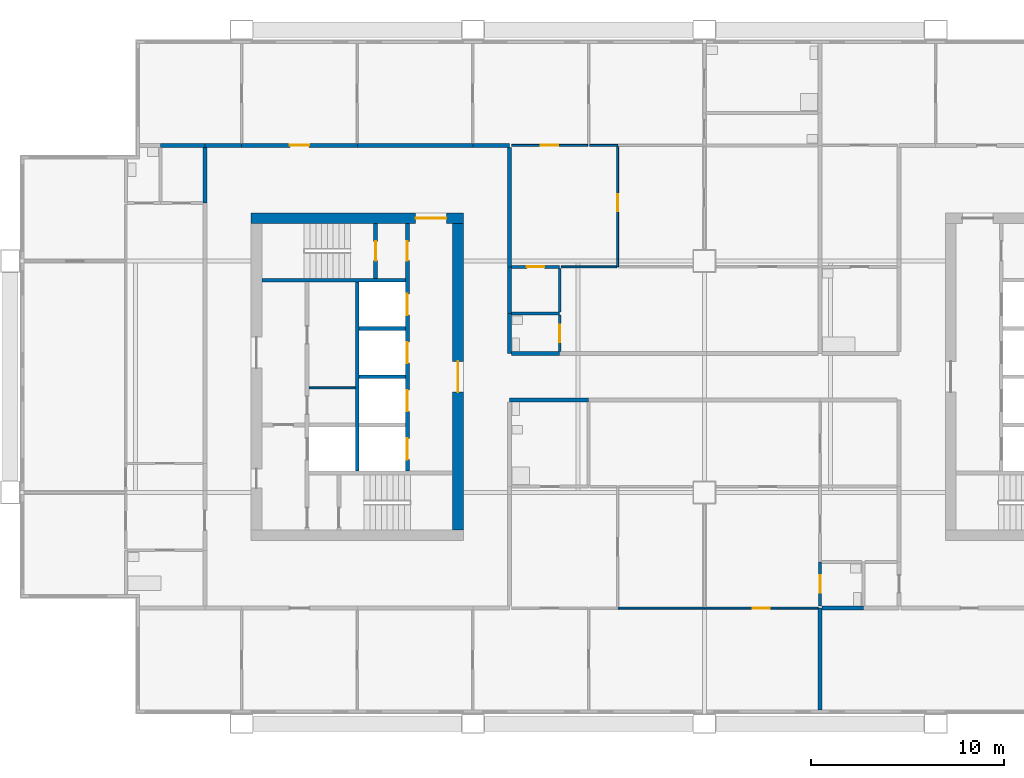
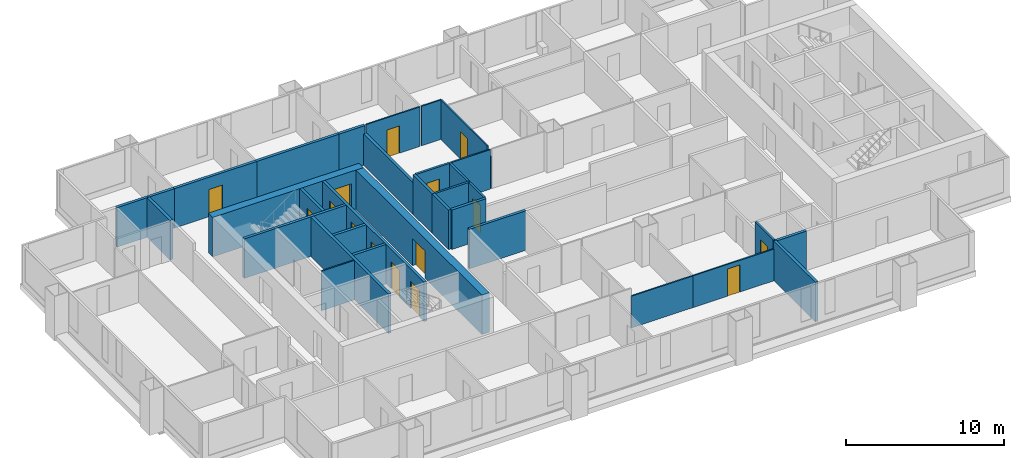
# One storey, part 4 of 10: 34 walls, 15 doors, 15 openings.
"""IFC4 building model written with IfcOpenShell, lengths in metres."""

from ifc_helpers import new_model, si_unit, direction, frame, frame_2d, origin, place, context, subcontext, project, spatial, rectangle, extrude, material, layer, layer_set, type_object, element, fill, save


model = new_model("IFC4")

# Units and contexts
model_context = context("Model", 3, precision=1e-05, world=origin(), true_north=direction((0.0, 1.0)))
body_context = subcontext(model_context, "Body", "Model", "MODEL_VIEW")
ifc_project = project(units=[si_unit("LENGTHUNIT", "METRE"), si_unit("AREAUNIT", "SQUARE_METRE"), si_unit("VOLUMEUNIT", "CUBIC_METRE"), si_unit("PLANEANGLEUNIT", "RADIAN"), si_unit("MASSUNIT", "GRAM", prefix="KILO")], contexts=[model_context])

# Site, building, storey
site_placement = place(None, origin())
site = spatial("IfcSite", under=ifc_project, at=site_placement, CompositionType="ELEMENT")
building_placement = place(site_placement, origin())
building = spatial("IfcBuilding", under=site, at=building_placement, Name="Kitamizu Gate Tower and Museum", CompositionType="ELEMENT")
storey_placement = place(building_placement, frame((0.0, 0.0, 185.85009765625)))
storey = spatial("IfcBuildingStorey", under=building, at=storey_placement, Name="L49", CompositionType="ELEMENT", Elevation=185.85009765625)

# Wall, opening, door
ifc_material_1 = material(Name="Concrete Fc42", Category="concrete")
ifc_layer_1 = layer(ifc_material_1, 0.550048828125)
ifc_layer_set_1 = layer_set([ifc_layer_1], Name="Concrete Fc42")
wall_type_1 = type_object("IfcWallType", Name="Core wall 550", PredefinedType="SHEAR", material=ifc_layer_set_1)
wall_1_placement = place(storey_placement, frame((12.5, 38.22509765625, 0.0), z_axis=(0.0, 0.0, 1.0), x_axis=(1.0, 0.0, 0.0)))
wall_1 = element("IfcWall", 1, at=wall_1_placement, inside=storey, type_object=wall_type_1, Name="Core wall WN", PredefinedType="SHEAR", context=body_context, shape_type="SweptSolid", body=[
    extrude(rectangle(XDim=11.0, YDim=0.550048828125, at=frame_2d((5.5, 0.0))), origin(), (0.0, 0.0, 1.0), 3.0498046875),
])
opening_1_placement = place(wall_1_placement, frame((8.52490234375, 0.0, 0.0)))
opening_1 = element("IfcOpeningElement", 2, at=opening_1_placement, cuts=wall_1, Name="Opening L49-048", PredefinedType="OPENING", context=body_context, shape_type="SweptSolid", body=[
    extrude(rectangle(XDim=1.60009765625, YDim=2.10009765625, at=frame_2d((0.800048828125, 1.050048828125))), frame((0.0, 0.28515625, 0.0), z_axis=(0.0, -1.0, 0.0), x_axis=(1.0, 0.0, 0.0)), (0.0, 0.0, 1.0), 0.570068359375),
])
ifc_material_2 = material(Name="Timber door set", Category="wood")
door_type_1 = type_object("IfcDoorType", Name="Entrance door 1600", OperationType="DOUBLE_DOOR_SINGLE_SWING", PredefinedType="DOOR", material=ifc_material_2)
door_1_placement = place(opening_1_placement, origin())
door_1 = element("IfcDoor", 3, at=door_1_placement, inside=storey, type_object=door_type_1, Name="Lobby door L49-048", OperationType="DOUBLE_DOOR_SINGLE_SWING", OverallHeight=2.10009765625, OverallWidth=1.60009765625, PredefinedType="DOOR", context=body_context, shape_type="SweptSolid", body=[
    extrude(rectangle(XDim=1.60009765625, YDim=2.10009765625, at=frame_2d((0.800048828125, 1.050048828125))), frame((0.0, 0.02490234375, 0.0), z_axis=(0.0, -1.0, 0.0), x_axis=(1.0, 0.0, 0.0)), (0.0, 0.0, 1.0), 0.050048828125),
])
fill(opening_1, door_1)

wall_2_placement = place(storey_placement, frame((23.22509765625, 22.050048828125, 0.0), z_axis=(0.0, 0.0, 1.0), x_axis=(0.0, 1.0, 0.0)))
wall_2 = element("IfcWall", 4, at=wall_2_placement, inside=storey, type_object=wall_type_1, Name="Core wall WARC", PredefinedType="SHEAR", context=body_context, shape_type="SweptSolid", body=[
    extrude(rectangle(XDim=15.89990234375, YDim=0.550048828125, at=frame_2d((7.949951171875, 0.0))), origin(), (0.0, 0.0, 1.0), 3.0498046875),
])
opening_2_placement = place(wall_2_placement, frame((7.14990234375, 0.0, 0.0)))
opening_2 = element("IfcOpeningElement", 5, at=opening_2_placement, cuts=wall_2, Name="Opening L49-049", PredefinedType="OPENING", context=body_context, shape_type="SweptSolid", body=[
    extrude(rectangle(XDim=1.60009765625, YDim=2.10009765625, at=frame_2d((0.800048828125, 1.050048828125))), frame((0.0, 0.28515625, 0.0), z_axis=(0.0, -1.0, 0.0), x_axis=(1.0, 0.0, 0.0)), (0.0, 0.0, 1.0), 0.570068359375),
])
door_2_placement = place(opening_2_placement, origin())
door_2 = element("IfcDoor", 6, at=door_2_placement, inside=storey, type_object=door_type_1, Name="Lobby door L49-049", OperationType="DOUBLE_DOOR_SINGLE_SWING", OverallHeight=2.10009765625, OverallWidth=1.60009765625, PredefinedType="DOOR", context=body_context, shape_type="SweptSolid", body=[
    extrude(rectangle(XDim=1.60009765625, YDim=2.10009765625, at=frame_2d((0.800048828125, 1.050048828125))), frame((0.0, 0.02490234375, 0.0), z_axis=(0.0, -1.0, 0.0), x_axis=(1.0, 0.0, 0.0)), (0.0, 0.0, 1.0), 0.050048828125),
])
fill(opening_2, door_2)

# Walls
ifc_material_3 = material(Name="Gypsum board on galvanised stud")
ifc_layer_2 = layer(ifc_material_3, 0.10009765625)
ifc_layer_set_2 = layer_set([ifc_layer_2], Name="Gypsum board on galvanised stud")
wall_type_2 = type_object("IfcWallType", Name="Partition 100", PredefinedType="PARTITIONING", material=ifc_layer_set_2)
wall_3_placement = place(storey_placement, frame((15.5, 29.425048828125, 0.0), z_axis=(0.0, 0.0, 1.0), x_axis=(1.0, 0.0, 0.0)))
element("IfcWall", 7, at=wall_3_placement, inside=storey, type_object=wall_type_2, Name="Partition WPF1", PredefinedType="PARTITIONING", context=body_context, shape_type="SweptSolid", body=[
    extrude(rectangle(XDim=2.39990234375, YDim=0.10009765625, at=frame_2d((1.199951171875, 0.0))), origin(), (0.0, 0.0, 1.0), 3.0498046875),
])
ifc_material_4 = material(Name="Gypsum board on galvanised stud")
ifc_layer_3 = layer(ifc_material_4, 0.10009765625)
ifc_layer_set_3 = layer_set([ifc_layer_3], Name="Gypsum board on galvanised stud")
wall_type_3 = type_object("IfcWallType", Name="Partition 100 NOT RATED", PredefinedType="PARTITIONING", material=ifc_layer_set_3)
wall_4_placement = place(storey_placement, frame((36.0, 18.0, 0.0), z_axis=(0.0, 0.0, 1.0), x_axis=(-1.0, 0.0, 0.0)))
element("IfcWall", 8, at=wall_4_placement, inside=storey, type_object=wall_type_3, Name="Partition L49-012", PredefinedType="PARTITIONING", context=body_context, shape_type="SweptSolid", body=[
    extrude(rectangle(XDim=4.5, YDim=0.10009765625, at=frame_2d((2.25, 0.0))), origin(), (0.0, 0.0, 1.0), 2.449951171875),
])

# Wall, opening, door
wall_5_placement = place(storey_placement, frame((41.89990234375, 18.0, 0.0), z_axis=(0.0, 0.0, 1.0), x_axis=(-1.0, 0.0, 0.0)))
wall_5 = element("IfcWall", 9, at=wall_5_placement, inside=storey, type_object=wall_type_3, Name="Partition L49-013", PredefinedType="PARTITIONING", context=body_context, shape_type="SweptSolid", body=[
    extrude(rectangle(XDim=5.89990234375, YDim=0.10009765625, at=frame_2d((2.949951171875, 0.0))), origin(), (0.0, 0.0, 1.0), 2.449951171875),
])
opening_3_placement = place(wall_5_placement, frame((2.5, 0.0, 0.0)))
opening_3 = element("IfcOpeningElement", 10, at=opening_3_placement, cuts=wall_5, Name="Opening L49-008", PredefinedType="OPENING", context=body_context, shape_type="SweptSolid", body=[
    extrude(rectangle(XDim=0.89990234375, YDim=2.10009765625, at=frame_2d((0.449951171875, 1.050048828125))), frame((0.0, 0.06005859375, 0.0), z_axis=(0.0, -1.0, 0.0), x_axis=(1.0, 0.0, 0.0)), (0.0, 0.0, 1.0), 0.1201171875),
])
ifc_material_5 = material(Name="Timber door set", Category="wood")
door_type_2 = type_object("IfcDoorType", Name="Room door 900", OperationType="NOTDEFINED", PredefinedType="DOOR", material=ifc_material_5)
door_3_placement = place(opening_3_placement, frame((0.89990234375, 0.0, 0.0), x_axis=(-1.0, 0.0, 0.0)))
door_3 = element("IfcDoor", 11, at=door_3_placement, inside=storey, type_object=door_type_2, Name="Door L49-008", OperationType="SINGLE_SWING_RIGHT", OverallHeight=2.10009765625, OverallWidth=0.89990234375, PredefinedType="DOOR", context=body_context, shape_type="SweptSolid", body=[
    extrude(rectangle(XDim=0.89990234375, YDim=2.10009765625, at=frame_2d((0.449951171875, 1.050048828125))), frame((0.0, 0.02490234375, 0.0), z_axis=(0.0, -1.0, 0.0), x_axis=(1.0, 0.0, 0.0)), (0.0, 0.0, 1.0), 0.050048828125),
])
fill(opening_3, door_3)

wall_6_placement = place(storey_placement, frame((26.0, 42.0, 0.0), z_axis=(0.0, 0.0, 1.0), x_axis=(1.0, 0.0, 0.0)))
wall_6 = element("IfcWall", 12, at=wall_6_placement, inside=storey, type_object=wall_type_3, Name="Partition L49-050", PredefinedType="PARTITIONING", context=body_context, shape_type="SweptSolid", body=[
    extrude(rectangle(XDim=3.949951171875, YDim=0.10009765625, at=frame_2d((1.97509765625, 0.0))), origin(), (0.0, 0.0, 1.0), 3.0498046875),
])
opening_4_placement = place(wall_6_placement, frame((1.52490234375, 0.0, 0.0)))
opening_4 = element("IfcOpeningElement", 13, at=opening_4_placement, cuts=wall_6, Name="Opening L49-022", PredefinedType="OPENING", context=body_context, shape_type="SweptSolid", body=[
    extrude(rectangle(XDim=0.89990234375, YDim=2.10009765625, at=frame_2d((0.449951171875, 1.050048828125))), frame((0.0, 0.06005859375, 0.0), z_axis=(0.0, -1.0, 0.0), x_axis=(1.0, 0.0, 0.0)), (0.0, 0.0, 1.0), 0.1201171875),
])
door_4_placement = place(opening_4_placement, origin())
door_4 = element("IfcDoor", 14, at=door_4_placement, inside=storey, type_object=door_type_2, Name="Door L49-022", OperationType="SINGLE_SWING_LEFT", OverallHeight=2.10009765625, OverallWidth=0.89990234375, PredefinedType="DOOR", context=body_context, shape_type="SweptSolid", body=[
    extrude(rectangle(XDim=0.89990234375, YDim=2.10009765625, at=frame_2d((0.449951171875, 1.050048828125))), frame((0.0, 0.02490234375, 0.0), z_axis=(0.0, -1.0, 0.0), x_axis=(1.0, 0.0, 0.0)), (0.0, 0.0, 1.0), 0.050048828125),
])
fill(opening_4, door_4)

# Walls
wall_7_placement = place(storey_placement, frame((30.050048828125, 42.0, 0.0), z_axis=(0.0, 0.0, 1.0), x_axis=(1.0, 0.0, 0.0)))
element("IfcWall", 15, at=wall_7_placement, inside=storey, type_object=wall_type_3, Name="Partition L49-054", PredefinedType="PARTITIONING", context=body_context, shape_type="SweptSolid", body=[
    extrude(rectangle(XDim=1.449951171875, YDim=0.10009765625, at=frame_2d((0.72509765625, 0.0))), origin(), (0.0, 0.0, 1.0), 3.0498046875),
])
wall_8_placement = place(storey_placement, frame((31.5, 35.699951171875, 0.0), z_axis=(0.0, 0.0, 1.0), x_axis=(0.0, 1.0, 0.0)))
element("IfcWall", 16, at=wall_8_placement, inside=storey, type_object=wall_type_3, Name="Partition L49-060", PredefinedType="PARTITIONING", context=body_context, shape_type="SweptSolid", body=[
    extrude(rectangle(XDim=0.400146484375, YDim=0.10009765625, at=frame_2d((0.2001953125, 0.0))), origin(), (0.0, 0.0, 1.0), 2.449951171875),
])

# Wall, opening, door
wall_9_placement = place(storey_placement, frame((31.5, 36.10009765625, 0.0), z_axis=(0.0, 0.0, 1.0), x_axis=(0.0, 1.0, 0.0)))
wall_9 = element("IfcWall", 17, at=wall_9_placement, inside=storey, type_object=wall_type_3, Name="Partition L49-061", PredefinedType="PARTITIONING", context=body_context, shape_type="SweptSolid", body=[
    extrude(rectangle(XDim=5.849853515625, YDim=0.10009765625, at=frame_2d((2.9248046875, 0.0))), origin(), (0.0, 0.0, 1.0), 3.0498046875),
])
opening_5_placement = place(wall_9_placement, frame((2.47509765625, 0.0, 0.0)))
opening_5 = element("IfcOpeningElement", 18, at=opening_5_placement, cuts=wall_9, Name="Opening L49-023", PredefinedType="OPENING", context=body_context, shape_type="SweptSolid", body=[
    extrude(rectangle(XDim=0.89990234375, YDim=2.10009765625, at=frame_2d((0.449951171875, 1.050048828125))), frame((0.0, 0.06005859375, 0.0), z_axis=(0.0, -1.0, 0.0), x_axis=(1.0, 0.0, 0.0)), (0.0, 0.0, 1.0), 0.1201171875),
])
door_5_placement = place(opening_5_placement, frame((0.89990234375, 0.0, 0.0), x_axis=(-1.0, 0.0, 0.0)))
door_5 = element("IfcDoor", 19, at=door_5_placement, inside=storey, type_object=door_type_2, Name="Door L49-023", OperationType="SINGLE_SWING_LEFT", OverallHeight=2.10009765625, OverallWidth=0.89990234375, PredefinedType="DOOR", context=body_context, shape_type="SweptSolid", body=[
    extrude(rectangle(XDim=0.89990234375, YDim=2.10009765625, at=frame_2d((0.449951171875, 1.050048828125))), frame((0.0, 0.02490234375, 0.0), z_axis=(0.0, -1.0, 0.0), x_axis=(1.0, 0.0, 0.0)), (0.0, 0.0, 1.0), 0.050048828125),
])
fill(opening_5, door_5)

# Wall
wall_10_placement = place(storey_placement, frame((28.574951171875, 35.699951171875, 0.0), z_axis=(0.0, 0.0, 1.0), x_axis=(1.0, 0.0, 0.0)))
element("IfcWall", 20, at=wall_10_placement, inside=storey, type_object=wall_type_3, Name="Partition L49-063", PredefinedType="PARTITIONING", context=body_context, shape_type="SweptSolid", body=[
    extrude(rectangle(XDim=2.875, YDim=0.10009765625, at=frame_2d((1.4375, 0.0))), origin(), (0.0, 0.0, 1.0), 3.0498046875),
])

# Wall, opening, door
ifc_material_6 = material(Name="Gypsum board on galvanised stud")
ifc_layer_4 = layer(ifc_material_6, 0.14990234375)
ifc_layer_set_4 = layer_set([ifc_layer_4], Name="Gypsum board on galvanised stud")
wall_type_4 = type_object("IfcWallType", Name="Partition 150", PredefinedType="PARTITIONING", material=ifc_layer_set_4)
wall_11_placement = place(storey_placement, frame((42.0, 18.10009765625, 0.0), z_axis=(0.0, 0.0, 1.0), x_axis=(0.0, 1.0, 0.0)))
wall_11 = element("IfcWall", 21, at=wall_11_placement, inside=storey, type_object=wall_type_4, Name="Partition L49-023", PredefinedType="PARTITIONING", context=body_context, shape_type="SweptSolid", body=[
    extrude(rectangle(XDim=2.2998046875, YDim=0.14990234375, at=frame_2d((1.14990234375, 0.0))), origin(), (0.0, 0.0, 1.0), 3.0498046875),
])
opening_6_placement = place(wall_11_placement, frame((0.699951171875, 0.0, 0.0)))
opening_6 = element("IfcOpeningElement", 22, at=opening_6_placement, cuts=wall_11, Name="Opening L49-011", PredefinedType="OPENING", context=body_context, shape_type="SweptSolid", body=[
    extrude(rectangle(XDim=0.89990234375, YDim=2.10009765625, at=frame_2d((0.449951171875, 1.050048828125))), frame((0.0, 0.0849609375, 0.0), z_axis=(0.0, -1.0, 0.0), x_axis=(1.0, 0.0, 0.0)), (0.0, 0.0, 1.0), 0.169921875),
])
ifc_material_7 = material(Name="Timber door set", Category="wood")
door_type_3 = type_object("IfcDoorType", Name="Bathroom door 900", OperationType="NOTDEFINED", PredefinedType="DOOR", material=ifc_material_7)
door_6_placement = place(opening_6_placement, frame((0.89990234375, 0.0, 0.0), x_axis=(-1.0, 0.0, 0.0)))
door_6 = element("IfcDoor", 23, at=door_6_placement, inside=storey, type_object=door_type_3, Name="Bathroom door L49-011", OperationType="SINGLE_SWING_LEFT", OverallHeight=2.10009765625, OverallWidth=0.89990234375, PredefinedType="DOOR", context=body_context, shape_type="SweptSolid", body=[
    extrude(rectangle(XDim=0.89990234375, YDim=2.10009765625, at=frame_2d((0.449951171875, 1.050048828125))), frame((0.0, 0.02490234375, 0.0), z_axis=(0.0, -1.0, 0.0), x_axis=(1.0, 0.0, 0.0)), (0.0, 0.0, 1.0), 0.050048828125),
])
fill(opening_6, door_6)

wall_12_placement = place(storey_placement, frame((26.0, 35.699951171875, 0.0), z_axis=(0.0, 0.0, 1.0), x_axis=(1.0, 0.0, 0.0)))
wall_12 = element("IfcWall", 24, at=wall_12_placement, inside=storey, type_object=wall_type_4, Name="Partition L49-062", PredefinedType="PARTITIONING", context=body_context, shape_type="SweptSolid", body=[
    extrude(rectangle(XDim=2.5, YDim=0.14990234375, at=frame_2d((1.25, 0.0))), origin(), (0.0, 0.0, 1.0), 3.0498046875),
])
opening_7_placement = place(wall_12_placement, frame((0.800048828125, 0.0, 0.0)))
opening_7 = element("IfcOpeningElement", 25, at=opening_7_placement, cuts=wall_12, Name="Opening L49-025", PredefinedType="OPENING", context=body_context, shape_type="SweptSolid", body=[
    extrude(rectangle(XDim=0.89990234375, YDim=2.10009765625, at=frame_2d((0.449951171875, 1.050048828125))), frame((0.0, 0.0849609375, 0.0), z_axis=(0.0, -1.0, 0.0), x_axis=(1.0, 0.0, 0.0)), (0.0, 0.0, 1.0), 0.169921875),
])
door_7_placement = place(opening_7_placement, frame((0.89990234375, 0.0, 0.0), x_axis=(-1.0, 0.0, 0.0)))
door_7 = element("IfcDoor", 26, at=door_7_placement, inside=storey, type_object=door_type_3, Name="Bathroom door L49-025", OperationType="SINGLE_SWING_LEFT", OverallHeight=2.10009765625, OverallWidth=0.89990234375, PredefinedType="DOOR", context=body_context, shape_type="SweptSolid", body=[
    extrude(rectangle(XDim=0.89990234375, YDim=2.10009765625, at=frame_2d((0.449951171875, 1.050048828125))), frame((0.0, 0.02490234375, 0.0), z_axis=(0.0, -1.0, 0.0), x_axis=(1.0, 0.0, 0.0)), (0.0, 0.0, 1.0), 0.050048828125),
])
fill(opening_7, door_7)

# Wall
wall_13_placement = place(storey_placement, frame((28.5, 33.277099609375, 0.0), z_axis=(0.0, 0.0, 1.0), x_axis=(-1.0, 0.0, 0.0)))
element("IfcWall", 27, at=wall_13_placement, inside=storey, type_object=wall_type_4, Name="Partition L49-070", PredefinedType="PARTITIONING", context=body_context, shape_type="SweptSolid", body=[
    extrude(rectangle(XDim=2.5, YDim=0.14990234375, at=frame_2d((1.25, 0.0))), origin(), (0.0, 0.0, 1.0), 3.0498046875),
])

# Wall, opening, door
wall_14_placement = place(storey_placement, frame((28.5, 31.300048828125, 0.0), z_axis=(0.0, 0.0, 1.0), x_axis=(0.0, 1.0, 0.0)))
wall_14 = element("IfcWall", 28, at=wall_14_placement, inside=storey, type_object=wall_type_4, Name="Partition L49-071", PredefinedType="PARTITIONING", context=body_context, shape_type="SweptSolid", body=[
    extrude(rectangle(XDim=1.90185546875, YDim=0.14990234375, at=frame_2d((0.950927734375, 0.0))), origin(), (0.0, 0.0, 1.0), 3.0498046875),
])
opening_8_placement = place(wall_14_placement, frame((0.5009765625, 0.0, 0.0)))
opening_8 = element("IfcOpeningElement", 29, at=opening_8_placement, cuts=wall_14, Name="Opening L49-027", PredefinedType="OPENING", context=body_context, shape_type="SweptSolid", body=[
    extrude(rectangle(XDim=0.89990234375, YDim=2.10009765625, at=frame_2d((0.449951171875, 1.050048828125))), frame((0.0, 0.0849609375, 0.0), z_axis=(0.0, -1.0, 0.0), x_axis=(1.0, 0.0, 0.0)), (0.0, 0.0, 1.0), 0.169921875),
])
door_8_placement = place(opening_8_placement, origin())
door_8 = element("IfcDoor", 30, at=door_8_placement, inside=storey, type_object=door_type_3, Name="Bathroom door L49-027", OperationType="SINGLE_SWING_RIGHT", OverallHeight=2.10009765625, OverallWidth=0.89990234375, PredefinedType="DOOR", context=body_context, shape_type="SweptSolid", body=[
    extrude(rectangle(XDim=0.89990234375, YDim=2.10009765625, at=frame_2d((0.449951171875, 1.050048828125))), frame((0.0, 0.02490234375, 0.0), z_axis=(0.0, -1.0, 0.0), x_axis=(1.0, 0.0, 0.0)), (0.0, 0.0, 1.0), 0.050048828125),
])
fill(opening_8, door_8)

# Walls
wall_15_placement = place(storey_placement, frame((28.5, 33.35205078125, 0.0), z_axis=(0.0, 0.0, 1.0), x_axis=(0.0, 1.0, 0.0)))
element("IfcWall", 31, at=wall_15_placement, inside=storey, type_object=wall_type_4, Name="Partition L49-074", PredefinedType="PARTITIONING", context=body_context, shape_type="SweptSolid", body=[
    extrude(rectangle(XDim=2.27294921875, YDim=0.14990234375, at=frame_2d((1.136474609375, 0.0))), origin(), (0.0, 0.0, 1.0), 3.0498046875),
])
ifc_material_8 = material(Name="Gypsum board on galvanised stud")
ifc_layer_5 = layer(ifc_material_8, 0.199951171875)
ifc_layer_set_5 = layer_set([ifc_layer_5], Name="Gypsum board on galvanised stud")
wall_type_5 = type_object("IfcWallType", Name="Partition 200", PredefinedType="PARTITIONING", material=ifc_layer_set_5)
wall_16_placement = place(storey_placement, frame((42.0, 12.719970703125, 0.0), z_axis=(0.0, 0.0, 1.0), x_axis=(0.0, 1.0, 0.0)))
element("IfcWall", 32, at=wall_16_placement, inside=storey, type_object=wall_type_5, Name="Partition L49-014", PredefinedType="PARTITIONING", context=body_context, shape_type="SweptSolid", body=[
    extrude(rectangle(XDim=5.280029296875, YDim=0.199951171875, at=frame_2d((2.64013671875, 0.0))), origin(), (0.0, 0.0, 1.0), 3.0498046875),
])
wall_17_placement = place(storey_placement, frame((30.0, 28.800048828125, 0.0), z_axis=(0.0, 0.0, 1.0), x_axis=(-1.0, 0.0, 0.0)))
element("IfcWall", 33, at=wall_17_placement, inside=storey, type_object=wall_type_5, Name="Partition L49-026", PredefinedType="PARTITIONING", context=body_context, shape_type="SweptSolid", body=[
    extrude(rectangle(XDim=4.10009765625, YDim=0.199951171875, at=frame_2d((2.050048828125, 0.0))), origin(), (0.0, 0.0, 1.0), 3.0498046875),
])
wall_18_placement = place(storey_placement, frame((42.10009765625, 18.0, 0.0), z_axis=(0.0, 0.0, 1.0), x_axis=(1.0, 0.0, 0.0)))
element("IfcWall", 34, at=wall_18_placement, inside=storey, type_object=wall_type_5, Name="Partition L49-033", PredefinedType="PARTITIONING", context=body_context, shape_type="SweptSolid", body=[
    extrude(rectangle(XDim=2.14990234375, YDim=0.199951171875, at=frame_2d((1.074951171875, 0.0))), origin(), (0.0, 0.0, 1.0), 3.0498046875),
])
wall_19_placement = place(storey_placement, frame((7.800048828125, 42.0, 0.0), z_axis=(0.0, 0.0, 1.0), x_axis=(1.0, 0.0, 0.0)))
element("IfcWall", 35, at=wall_19_placement, inside=storey, type_object=wall_type_5, Name="Partition L49-043", PredefinedType="PARTITIONING", context=body_context, shape_type="SweptSolid", body=[
    extrude(rectangle(XDim=2.300048828125, YDim=0.199951171875, at=frame_2d((1.14990234375, 0.0))), origin(), (0.0, 0.0, 1.0), 3.0498046875),
])
wall_20_placement = place(storey_placement, frame((10.10009765625, 42.0, 0.0), z_axis=(0.0, 0.0, 1.0), x_axis=(1.0, 0.0, 0.0)))
element("IfcWall", 36, at=wall_20_placement, inside=storey, type_object=wall_type_5, Name="Partition L49-044", PredefinedType="PARTITIONING", context=body_context, shape_type="SweptSolid", body=[
    extrude(rectangle(XDim=1.89990234375, YDim=0.199951171875, at=frame_2d((0.949951171875, 0.0))), origin(), (0.0, 0.0, 1.0), 3.0498046875),
])

# Wall, opening, door
wall_21_placement = place(storey_placement, frame((12.0, 42.0, 0.0), z_axis=(0.0, 0.0, 1.0), x_axis=(1.0, 0.0, 0.0)))
wall_21 = element("IfcWall", 37, at=wall_21_placement, inside=storey, type_object=wall_type_5, Name="Partition L49-046", PredefinedType="PARTITIONING", context=body_context, shape_type="SweptSolid", body=[
    extrude(rectangle(XDim=6.0, YDim=0.199951171875, at=frame_2d((3.0, 0.0))), origin(), (0.0, 0.0, 1.0), 3.0498046875),
])
opening_9_placement = place(wall_21_placement, frame((2.5, 0.0, 0.0)))
opening_9 = element("IfcOpeningElement", 38, at=opening_9_placement, cuts=wall_21, Name="Opening L49-015", PredefinedType="OPENING", context=body_context, shape_type="SweptSolid", body=[
    extrude(rectangle(XDim=1.0, YDim=2.10009765625, at=frame_2d((0.5, 1.050048828125))), frame((0.0, 0.10986328125, 0.0), z_axis=(0.0, -1.0, 0.0), x_axis=(1.0, 0.0, 0.0)), (0.0, 0.0, 1.0), 0.219970703125),
])
ifc_material_9 = material(Name="Timber door set", Category="wood")
door_type_4 = type_object("IfcDoorType", Name="Flat entrance door 1000", OperationType="NOTDEFINED", PredefinedType="DOOR", material=ifc_material_9)
door_9_placement = place(opening_9_placement, origin())
door_9 = element("IfcDoor", 39, at=door_9_placement, inside=storey, type_object=door_type_4, Name="Flat entrance door L49-015", OperationType="SINGLE_SWING_RIGHT", OverallHeight=2.10009765625, OverallWidth=1.0, PredefinedType="DOOR", context=body_context, shape_type="SweptSolid", body=[
    extrude(rectangle(XDim=1.0, YDim=2.10009765625, at=frame_2d((0.5, 1.050048828125))), frame((0.0, 0.02490234375, 0.0), z_axis=(0.0, -1.0, 0.0), x_axis=(1.0, 0.0, 0.0)), (0.0, 0.0, 1.0), 0.050048828125),
])
fill(opening_9, door_9)

# Walls
wall_22_placement = place(storey_placement, frame((18.0, 42.0, 0.0), z_axis=(0.0, 0.0, 1.0), x_axis=(1.0, 0.0, 0.0)))
element("IfcWall", 40, at=wall_22_placement, inside=storey, type_object=wall_type_5, Name="Partition L49-048", PredefinedType="PARTITIONING", context=body_context, shape_type="SweptSolid", body=[
    extrude(rectangle(XDim=6.0, YDim=0.199951171875, at=frame_2d((3.0, 0.0))), origin(), (0.0, 0.0, 1.0), 3.0498046875),
])
wall_23_placement = place(storey_placement, frame((24.0, 42.0, 0.0), z_axis=(0.0, 0.0, 1.0), x_axis=(1.0, 0.0, 0.0)))
element("IfcWall", 41, at=wall_23_placement, inside=storey, type_object=wall_type_5, Name="Partition L49-051", PredefinedType="PARTITIONING", context=body_context, shape_type="SweptSolid", body=[
    extrude(rectangle(XDim=1.89990234375, YDim=0.199951171875, at=frame_2d((0.949951171875, 0.0))), origin(), (0.0, 0.0, 1.0), 3.0498046875),
])
wall_24_placement = place(storey_placement, frame((25.89990234375, 41.89990234375, 0.0), z_axis=(0.0, 0.0, 1.0), x_axis=(0.0, -1.0, 0.0)))
element("IfcWall", 42, at=wall_24_placement, inside=storey, type_object=wall_type_5, Name="Partition L49-064", PredefinedType="PARTITIONING", context=body_context, shape_type="SweptSolid", body=[
    extrude(rectangle(XDim=6.199951171875, YDim=0.199951171875, at=frame_2d((3.10009765625, 0.0))), origin(), (0.0, 0.0, 1.0), 2.449951171875),
])
wall_25_placement = place(storey_placement, frame((25.89990234375, 33.277099609375, 0.0), z_axis=(0.0, 0.0, 1.0), x_axis=(0.0, -1.0, 0.0)))
element("IfcWall", 43, at=wall_25_placement, inside=storey, type_object=wall_type_5, Name="Partition L49-072", PredefinedType="PARTITIONING", context=body_context, shape_type="SweptSolid", body=[
    extrude(rectangle(XDim=2.0771484375, YDim=0.199951171875, at=frame_2d((1.03857421875, 0.0))), origin(), (0.0, 0.0, 1.0), 3.0498046875),
])
wall_26_placement = place(storey_placement, frame((26.0, 31.199951171875, 0.0), z_axis=(0.0, 0.0, 1.0), x_axis=(1.0, 0.0, 0.0)))
element("IfcWall", 44, at=wall_26_placement, inside=storey, type_object=wall_type_5, Name="Partition L49-073", PredefinedType="PARTITIONING", context=body_context, shape_type="SweptSolid", body=[
    extrude(rectangle(XDim=2.5, YDim=0.199951171875, at=frame_2d((1.25, 0.0))), origin(), (0.0, 0.0, 1.0), 3.0498046875),
])
wall_27_placement = place(storey_placement, frame((25.89990234375, 35.699951171875, 0.0), z_axis=(0.0, 0.0, 1.0), x_axis=(0.0, -1.0, 0.0)))
element("IfcWall", 45, at=wall_27_placement, inside=storey, type_object=wall_type_5, Name="Partition L49-075", PredefinedType="PARTITIONING", context=body_context, shape_type="SweptSolid", body=[
    extrude(rectangle(XDim=2.4228515625, YDim=0.199951171875, at=frame_2d((1.21142578125, 0.0))), origin(), (0.0, 0.0, 1.0), 3.0498046875),
])
wall_28_placement = place(storey_placement, frame((10.10009765625, 39.0, 0.0), z_axis=(0.0, 0.0, 1.0), x_axis=(0.0, 1.0, 0.0)))
element("IfcWall", 46, at=wall_28_placement, inside=storey, type_object=wall_type_5, Name="Partition L49-097", PredefinedType="PARTITIONING", context=body_context, shape_type="SweptSolid", body=[
    extrude(rectangle(XDim=2.89990234375, YDim=0.199951171875, at=frame_2d((1.449951171875, 0.0))), origin(), (0.0, 0.0, 1.0), 3.0498046875),
])

# Wall, openings, doors
ifc_material_10 = material(Name="Concrete Fc42", Category="concrete")
ifc_layer_6 = layer(ifc_material_10, 0.199951171875)
ifc_layer_set_6 = layer_set([ifc_layer_6], Name="Concrete Fc42")
wall_type_6 = type_object("IfcWallType", Name="Shaft wall 200", PredefinedType="SOLIDWALL", material=ifc_layer_set_6)
wall_29_placement = place(storey_placement, frame((20.60009765625, 25.10009765625, 0.0), z_axis=(0.0, 0.0, 1.0), x_axis=(0.0, 1.0, 0.0)))
wall_29 = element("IfcWall", 47, at=wall_29_placement, inside=storey, type_object=wall_type_6, Name="Shaft wall WEAST", PredefinedType="SOLIDWALL", context=body_context, shape_type="SweptSolid", body=[
    extrude(rectangle(XDim=12.849853515625, YDim=0.199951171875, at=frame_2d((6.4248046875, 0.0))), origin(), (0.0, 0.0, 1.0), 3.0498046875),
])
opening_10_placement = place(wall_29_placement, frame((0.60009765625, 0.0, 0.0)))
opening_10 = element("IfcOpeningElement", 48, at=opening_10_placement, cuts=wall_29, Name="Opening LD", PredefinedType="OPENING", context=body_context, shape_type="SweptSolid", body=[
    extrude(rectangle(XDim=1.10009765625, YDim=2.10009765625, at=frame_2d((0.550048828125, 1.050048828125))), frame((0.0, 0.10986328125, 0.0), z_axis=(0.0, -1.0, 0.0), x_axis=(1.0, 0.0, 0.0)), (0.0, 0.0, 1.0), 0.219970703125),
])
opening_11_placement = place(wall_29_placement, frame((3.10009765625, 0.0, 0.0)))
opening_11 = element("IfcOpeningElement", 49, at=opening_11_placement, cuts=wall_29, Name="Opening LD", PredefinedType="OPENING", context=body_context, shape_type="SweptSolid", body=[
    extrude(rectangle(XDim=1.10009765625, YDim=2.10009765625, at=frame_2d((0.550048828125, 1.050048828125))), frame((0.0, 0.10986328125, 0.0), z_axis=(0.0, -1.0, 0.0), x_axis=(1.0, 0.0, 0.0)), (0.0, 0.0, 1.0), 0.219970703125),
])
opening_12_placement = place(wall_29_placement, frame((5.60009765625, 0.0, 0.0)))
opening_12 = element("IfcOpeningElement", 50, at=opening_12_placement, cuts=wall_29, Name="Opening LD", PredefinedType="OPENING", context=body_context, shape_type="SweptSolid", body=[
    extrude(rectangle(XDim=1.10009765625, YDim=2.10009765625, at=frame_2d((0.550048828125, 1.050048828125))), frame((0.0, 0.10986328125, 0.0), z_axis=(0.0, -1.0, 0.0), x_axis=(1.0, 0.0, 0.0)), (0.0, 0.0, 1.0), 0.219970703125),
])
opening_13_placement = place(wall_29_placement, frame((8.10009765625, 0.0, 0.0)))
opening_13 = element("IfcOpeningElement", 51, at=opening_13_placement, cuts=wall_29, Name="Opening LD", PredefinedType="OPENING", context=body_context, shape_type="SweptSolid", body=[
    extrude(rectangle(XDim=1.10009765625, YDim=2.10009765625, at=frame_2d((0.550048828125, 1.050048828125))), frame((0.0, 0.10986328125, 0.0), z_axis=(0.0, -1.0, 0.0), x_axis=(1.0, 0.0, 0.0)), (0.0, 0.0, 1.0), 0.219970703125),
])
opening_14_placement = place(wall_29_placement, frame((10.925048828125, 0.0, 0.0)))
opening_14 = element("IfcOpeningElement", 52, at=opening_14_placement, cuts=wall_29, Name="Opening L49-043", PredefinedType="OPENING", context=body_context, shape_type="SweptSolid", body=[
    extrude(rectangle(XDim=1.0, YDim=2.10009765625, at=frame_2d((0.5, 1.050048828125))), frame((0.0, 0.10986328125, 0.0), z_axis=(0.0, -1.0, 0.0), x_axis=(1.0, 0.0, 0.0)), (0.0, 0.0, 1.0), 0.219970703125),
])
ifc_material_11 = material(Name="Hollow metal door set")
door_type_5 = type_object("IfcDoorType", Name="Fire door 1000", OperationType="NOTDEFINED", PredefinedType="DOOR", material=ifc_material_11)
door_10_placement = place(opening_14_placement, origin())
door_10 = element("IfcDoor", 53, at=door_10_placement, inside=storey, type_object=door_type_5, Name="Stair lobby door L49-043", OperationType="SINGLE_SWING_LEFT", OverallHeight=2.10009765625, OverallWidth=1.0, PredefinedType="DOOR", context=body_context, shape_type="SweptSolid", body=[
    extrude(rectangle(XDim=1.0, YDim=2.10009765625, at=frame_2d((0.5, 1.050048828125))), frame((0.0, 0.02490234375, 0.0), z_axis=(0.0, -1.0, 0.0), x_axis=(1.0, 0.0, 0.0)), (0.0, 0.0, 1.0), 0.050048828125),
])
fill(opening_14, door_10)
ifc_material_12 = material(Name="Hollow metal door set")
door_type_6 = type_object("IfcDoorType", Name="Landing door 1100", OperationType="SLIDING_TO_LEFT", PredefinedType="DOOR", material=ifc_material_12)
door_11_placement = place(opening_10_placement, origin())
door_11 = element("IfcDoor", 54, at=door_11_placement, inside=storey, type_object=door_type_6, Name="Landing door WSV1", OperationType="SLIDING_TO_LEFT", OverallHeight=2.10009765625, OverallWidth=1.10009765625, PredefinedType="DOOR", context=body_context, shape_type="SweptSolid", body=[
    extrude(rectangle(XDim=1.10009765625, YDim=2.10009765625, at=frame_2d((0.550048828125, 1.050048828125))), frame((0.0, 0.02490234375, 0.0), z_axis=(0.0, -1.0, 0.0), x_axis=(1.0, 0.0, 0.0)), (0.0, 0.0, 1.0), 0.050048828125),
])
fill(opening_10, door_11)
door_12_placement = place(opening_11_placement, origin())
door_12 = element("IfcDoor", 55, at=door_12_placement, inside=storey, type_object=door_type_6, Name="Landing door WH1", OperationType="SLIDING_TO_LEFT", OverallHeight=2.10009765625, OverallWidth=1.10009765625, PredefinedType="DOOR", context=body_context, shape_type="SweptSolid", body=[
    extrude(rectangle(XDim=1.10009765625, YDim=2.10009765625, at=frame_2d((0.550048828125, 1.050048828125))), frame((0.0, 0.02490234375, 0.0), z_axis=(0.0, -1.0, 0.0), x_axis=(1.0, 0.0, 0.0)), (0.0, 0.0, 1.0), 0.050048828125),
])
fill(opening_11, door_12)
door_13_placement = place(opening_12_placement, origin())
door_13 = element("IfcDoor", 56, at=door_13_placement, inside=storey, type_object=door_type_6, Name="Landing door WH2", OperationType="SLIDING_TO_LEFT", OverallHeight=2.10009765625, OverallWidth=1.10009765625, PredefinedType="DOOR", context=body_context, shape_type="SweptSolid", body=[
    extrude(rectangle(XDim=1.10009765625, YDim=2.10009765625, at=frame_2d((0.550048828125, 1.050048828125))), frame((0.0, 0.02490234375, 0.0), z_axis=(0.0, -1.0, 0.0), x_axis=(1.0, 0.0, 0.0)), (0.0, 0.0, 1.0), 0.050048828125),
])
fill(opening_12, door_13)
door_14_placement = place(opening_13_placement, origin())
door_14 = element("IfcDoor", 57, at=door_14_placement, inside=storey, type_object=door_type_6, Name="Landing door WH3", OperationType="SLIDING_TO_LEFT", OverallHeight=2.10009765625, OverallWidth=1.10009765625, PredefinedType="DOOR", context=body_context, shape_type="SweptSolid", body=[
    extrude(rectangle(XDim=1.10009765625, YDim=2.10009765625, at=frame_2d((0.550048828125, 1.050048828125))), frame((0.0, 0.02490234375, 0.0), z_axis=(0.0, -1.0, 0.0), x_axis=(1.0, 0.0, 0.0)), (0.0, 0.0, 1.0), 0.050048828125),
])
fill(opening_13, door_14)

# Walls
wall_30_placement = place(storey_placement, frame((18.0, 25.10009765625, 0.0), z_axis=(0.0, 0.0, 1.0), x_axis=(0.0, 1.0, 0.0)))
element("IfcWall", 58, at=wall_30_placement, inside=storey, type_object=wall_type_6, Name="Shaft wall WMID", PredefinedType="SOLIDWALL", context=body_context, shape_type="SweptSolid", body=[
    extrude(rectangle(XDim=9.7998046875, YDim=0.199951171875, at=frame_2d((4.89990234375, 0.0))), origin(), (0.0, 0.0, 1.0), 3.0498046875),
])
wall_31_placement = place(storey_placement, frame((13.050048828125, 35.0, 0.0), z_axis=(0.0, 0.0, 1.0), x_axis=(1.0, 0.0, 0.0)))
element("IfcWall", 59, at=wall_31_placement, inside=storey, type_object=wall_type_6, Name="Shaft wall WNB", PredefinedType="SOLIDWALL", context=body_context, shape_type="SweptSolid", body=[
    extrude(rectangle(XDim=7.449951171875, YDim=0.199951171875, at=frame_2d((3.72509765625, 0.0))), origin(), (0.0, 0.0, 1.0), 3.0498046875),
])

# Wall, opening, door
wall_32_placement = place(storey_placement, frame((18.949951171875, 35.10009765625, 0.0), z_axis=(0.0, 0.0, 1.0), x_axis=(0.0, 1.0, 0.0)))
wall_32 = element("IfcWall", 60, at=wall_32_placement, inside=storey, type_object=wall_type_6, Name="Shaft wall WNZ", PredefinedType="SOLIDWALL", context=body_context, shape_type="SweptSolid", body=[
    extrude(rectangle(XDim=2.849853515625, YDim=0.199951171875, at=frame_2d((1.4248046875, 0.0))), origin(), (0.0, 0.0, 1.0), 3.0498046875),
])
opening_15_placement = place(wall_32_placement, frame((0.925048828125, 0.0, 0.0)))
opening_15 = element("IfcOpeningElement", 61, at=opening_15_placement, cuts=wall_32, Name="Opening L49-044", PredefinedType="OPENING", context=body_context, shape_type="SweptSolid", body=[
    extrude(rectangle(XDim=1.0, YDim=2.10009765625, at=frame_2d((0.5, 1.050048828125))), frame((0.0, 0.10986328125, 0.0), z_axis=(0.0, -1.0, 0.0), x_axis=(1.0, 0.0, 0.0)), (0.0, 0.0, 1.0), 0.219970703125),
])
door_15_placement = place(opening_15_placement, origin())
door_15 = element("IfcDoor", 62, at=door_15_placement, inside=storey, type_object=door_type_5, Name="Stair door L49-044", OperationType="SINGLE_SWING_RIGHT", OverallHeight=2.10009765625, OverallWidth=1.0, PredefinedType="DOOR", context=body_context, shape_type="SweptSolid", body=[
    extrude(rectangle(XDim=1.0, YDim=2.10009765625, at=frame_2d((0.5, 1.050048828125))), frame((0.0, 0.02490234375, 0.0), z_axis=(0.0, -1.0, 0.0), x_axis=(1.0, 0.0, 0.0)), (0.0, 0.0, 1.0), 0.050048828125),
])
fill(opening_15, door_15)

# Walls
for number, where, z_axis, x_axis, name in (
    (63, (18.10009765625, 30.0, 0.0), (0.0, 0.0, 1.0), (1.0, 0.0, 0.0), "Shaft wall WDVE1"),
    (64, (18.10009765625, 32.5, 0.0), (0.0, 0.0, 1.0), (1.0, 0.0, 0.0), "Shaft wall WDVE2"),
):
    element("IfcWall", number, at=place(storey_placement, frame(where, z_axis=z_axis, x_axis=x_axis)), inside=storey, type_object=wall_type_6, Name=name, PredefinedType="SOLIDWALL", context=body_context, shape_type="SweptSolid", body=[
        extrude(rectangle(XDim=2.39990234375, YDim=0.199951171875, at=frame_2d((1.199951171875, 0.0))), origin(), (0.0, 0.0, 1.0), 3.0498046875),
    ])

save(model, "model.ifc")
